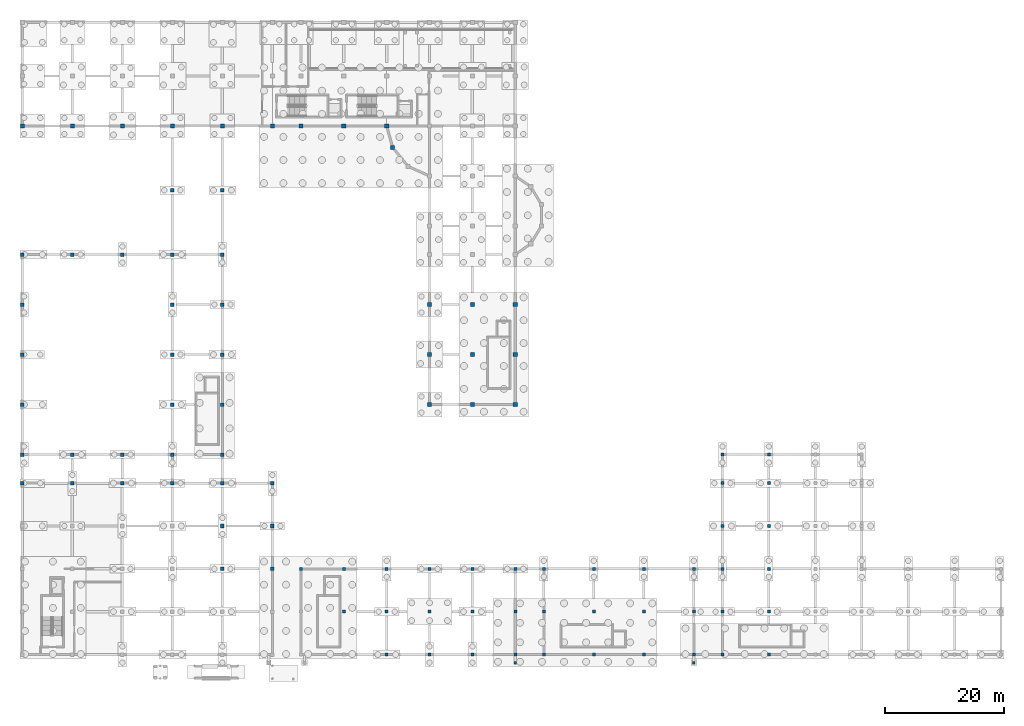
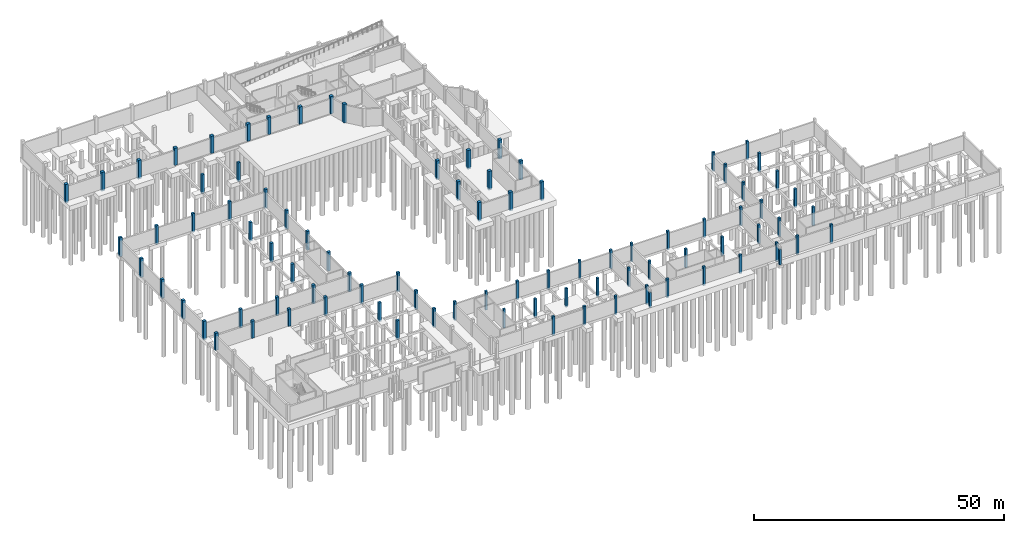
# One storey, part 11 of 22: 91 columns.
"""IFC4 building model written with IfcOpenShell, lengths in metres."""

from ifc_helpers import new_model, si_unit, direction, frame, origin, origin_2d, place, context, subcontext, project, spatial, rectangle, extrude, material, material_profile, profile_set, type_object, element, save


model = new_model("IFC4")

# Units and contexts
model_context = context("Model", 3, precision=1e-05, world=origin(), true_north=direction((0.0, 1.0)))
body_context = subcontext(model_context, "Body", "Model", "MODEL_VIEW")
ifc_project = project(units=[si_unit("LENGTHUNIT", "METRE"), si_unit("AREAUNIT", "SQUARE_METRE"), si_unit("VOLUMEUNIT", "CUBIC_METRE"), si_unit("PLANEANGLEUNIT", "RADIAN"), si_unit("MASSUNIT", "GRAM", prefix="KILO")], contexts=[model_context])

# Site, building, storey
site_placement = place(None, origin())
site = spatial("IfcSite", under=ifc_project, at=site_placement, CompositionType="ELEMENT")
building_placement = place(site_placement, origin())
building = spatial("IfcBuilding", under=site, at=building_placement, Name="Kahlenmark Community Centre", CompositionType="ELEMENT")
storey_placement = place(building_placement, frame((0.0, 0.0, -4.199951171875)))
storey = spatial("IfcBuildingStorey", under=building, at=storey_placement, Name="B1", CompositionType="ELEMENT", Elevation=-4.199951171875)

# Columns
ifc_material = material(Name="Concrete C35/45", Category="concrete")
ifc_material_profile_1 = material_profile(ifc_material, rectangle(XDim=0.449951171875, YDim=0.449951171875, at=origin_2d()), Name="RC 450x450")
ifc_profile_set_1 = profile_set([ifc_material_profile_1], Name="Concrete C35/45")
column_type_1 = type_object("IfcColumnType", Name="CT-PIER-RMP-RC450", PredefinedType="COLUMN", material=ifc_profile_set_1)
for number, where, z_axis, x_axis, name in (
    (1, (86.800048828125, 7.449951171875, -0.400146484375), (0.0, 0.0, 1.0), (1.0, 0.0, 0.0), "Threshold ramp support pier 03"),
    (2, (116.800048828125, 7.449951171875, -0.400146484375), (0.0, 0.0, 1.0), (1.0, 0.0, 0.0), "Threshold ramp support pier 04"),
):
    element("IfcColumn", number, at=place(storey_placement, frame(where, z_axis=z_axis, x_axis=x_axis)), inside=storey, type_object=column_type_1, Name=name, PredefinedType="COLUMN", context=body_context, shape_type="SweptSolid", body=[
        extrude(rectangle(XDim=0.449951171875, YDim=0.449951171875, at=origin_2d()), origin(), (0.0, 0.0, 1.0), 3.75),
    ])
ifc_material_profile_2 = material_profile(ifc_material, rectangle(XDim=0.5, YDim=0.5, at=origin_2d()), Name="RC 500x500")
ifc_profile_set_2 = profile_set([ifc_material_profile_2], Name="Concrete C35/45")
column_type_2 = type_object("IfcColumnType", Name="CT-RC500", PredefinedType="COLUMN", material=ifc_profile_set_2)
for number, where, z_axis, x_axis, name in (
    (3, (50.800048828125, 23.199951171875, -0.400146484375), (0.0, 0.0, 1.0), (1.0, 0.0, 0.0), "B1 column (50.8, 23.2)"),
    (4, (58.0, 16.0, -0.400146484375), (0.0, 0.0, 1.0), (1.0, 0.0, 0.0), "B1 column (58.0, 16.0)"),
    (5, (58.0, 23.199951171875, -0.400146484375), (0.0, 0.0, 1.0), (1.0, 0.0, 0.0), "B1 column (58.0, 23.2)"),
    (6, (65.199951171875, 8.800048828125, -0.400146484375), (0.0, 0.0, 1.0), (1.0, 0.0, 0.0), "B1 column (65.2, 8.8)"),
    (7, (65.199951171875, 16.0, -0.400146484375), (0.0, 0.0, 1.0), (1.0, 0.0, 0.0), "B1 column (65.2, 16.0)"),
    (8, (65.199951171875, 23.199951171875, -0.400146484375), (0.0, 0.0, 1.0), (1.0, 0.0, 0.0), "B1 column (65.2, 23.2)"),
    (9, (72.39990234375, 8.800048828125, -0.400146484375), (0.0, 0.0, 1.0), (1.0, 0.0, 0.0), "B1 column (72.4, 8.8)"),
    (10, (72.39990234375, 16.0, -0.400146484375), (0.0, 0.0, 1.0), (1.0, 0.0, 0.0), "B1 column (72.4, 16.0)"),
    (11, (72.39990234375, 23.199951171875, -0.400146484375), (0.0, 0.0, 1.0), (1.0, 0.0, 0.0), "B1 column (72.4, 23.2)"),
    (12, (79.60009765625, 8.800048828125, -0.400146484375), (0.0, 0.0, 1.0), (1.0, 0.0, 0.0), "B1 column (79.6, 8.8)"),
    (13, (79.60009765625, 16.0, -0.400146484375), (0.0, 0.0, 1.0), (1.0, 0.0, 0.0), "B1 column (79.6, 16.0)"),
    (14, (79.60009765625, 23.199951171875, -0.400146484375), (0.0, 0.0, 1.0), (1.0, 0.0, 0.0), "B1 column (79.6, 23.2)"),
    (15, (86.800048828125, 8.800048828125, -0.400146484375), (0.0, 0.0, 1.0), (1.0, 0.0, 0.0), "B1 column (86.8, 8.8)"),
    (16, (86.800048828125, 16.0, -0.400146484375), (0.0, 0.0, 1.0), (1.0, 0.0, 0.0), "B1 column (86.8, 16.0)"),
    (17, (86.800048828125, 23.199951171875, -0.400146484375), (0.0, 0.0, 1.0), (1.0, 0.0, 0.0), "B1 column (86.8, 23.2)"),
    (18, (91.60009765625, 8.800048828125, -0.400146484375), (0.0, 0.0, 1.0), (1.0, 0.0, 0.0), "B1 column (91.6, 8.8)"),
    (19, (91.60009765625, 16.0, -0.400146484375), (0.0, 0.0, 1.0), (1.0, 0.0, 0.0), "B1 column (91.6, 16.0)"),
    (20, (91.60009765625, 23.199951171875, -0.400146484375), (0.0, 0.0, 1.0), (1.0, 0.0, 0.0), "B1 column (91.6, 23.2)"),
    (21, (100.0, 8.800048828125, -0.400146484375), (0.0, 0.0, 1.0), (1.0, 0.0, 0.0), "B1 column (100.0, 8.8)"),
    (22, (100.0, 16.0, -0.400146484375), (0.0, 0.0, 1.0), (1.0, 0.0, 0.0), "B1 column (100.0, 16.0)"),
    (23, (100.0, 23.199951171875, -0.400146484375), (0.0, 0.0, 1.0), (1.0, 0.0, 0.0), "B1 column (100.0, 23.2)"),
    (24, (108.39990234375, 8.800048828125, -0.400146484375), (0.0, 0.0, 1.0), (1.0, 0.0, 0.0), "B1 column (108.4, 8.8)"),
    (25, (108.39990234375, 16.0, -0.400146484375), (0.0, 0.0, 1.0), (1.0, 0.0, 0.0), "B1 column (108.4, 16.0)"),
    (26, (108.39990234375, 23.199951171875, -0.400146484375), (0.0, 0.0, 1.0), (1.0, 0.0, 0.0), "B1 column (108.4, 23.2)"),
    (27, (116.800048828125, 8.800048828125, -0.400146484375), (0.0, 0.0, 1.0), (1.0, 0.0, 0.0), "B1 column (116.8, 8.8)"),
    (28, (116.800048828125, 16.0, -0.400146484375), (0.0, 0.0, 1.0), (1.0, 0.0, 0.0), "B1 column (116.8, 16.0)"),
    (29, (116.800048828125, 23.199951171875, -0.400146484375), (0.0, 0.0, 1.0), (1.0, 0.0, 0.0), "B1 column (116.8, 23.2)"),
    (30, (121.60009765625, 8.800048828125, -0.400146484375), (0.0, 0.0, 1.0), (1.0, 0.0, 0.0), "B1 column (121.6, 8.8)"),
    (31, (121.60009765625, 16.0, -0.400146484375), (0.0, 0.0, 1.0), (1.0, 0.0, 0.0), "B1 column (121.6, 16.0)"),
    (32, (121.60009765625, 23.199951171875, -0.400146484375), (0.0, 0.0, 1.0), (1.0, 0.0, 0.0), "B1 column (121.6, 23.2)"),
    (33, (121.60009765625, 30.39990234375, -0.400146484375), (0.0, 0.0, 1.0), (1.0, 0.0, 0.0), "B1 column (121.6, 30.4)"),
    (34, (121.60009765625, 37.60009765625, -0.400146484375), (0.0, 0.0, 1.0), (1.0, 0.0, 0.0), "B1 column (121.6, 37.6)"),
    (35, (121.60009765625, 42.39990234375, -0.400146484375), (0.0, 0.0, 1.0), (1.0, 0.0, 0.0), "B1 column (121.6, 42.4)"),
    (36, (129.39990234375, 8.800048828125, -0.400146484375), (0.0, 0.0, 1.0), (1.0, 0.0, 0.0), "B1 column (129.4, 8.8)"),
    (37, (129.39990234375, 16.0, -0.400146484375), (0.0, 0.0, 1.0), (1.0, 0.0, 0.0), "B1 column (129.4, 16.0)"),
    (38, (129.39990234375, 23.199951171875, -0.400146484375), (0.0, 0.0, 1.0), (1.0, 0.0, 0.0), "B1 column (129.4, 23.2)"),
    (39, (129.39990234375, 30.39990234375, -0.400146484375), (0.0, 0.0, 1.0), (1.0, 0.0, 0.0), "B1 column (129.4, 30.4)"),
    (40, (129.39990234375, 37.60009765625, -0.400146484375), (0.0, 0.0, 1.0), (1.0, 0.0, 0.0), "B1 column (129.4, 37.6)"),
    (41, (129.39990234375, 42.39990234375, -0.400146484375), (0.0, 0.0, 1.0), (1.0, 0.0, 0.0), "B1 column (129.4, 42.4)"),
):
    element("IfcColumn", number, at=place(storey_placement, frame(where, z_axis=z_axis, x_axis=x_axis)), inside=storey, type_object=column_type_2, Name=name, PredefinedType="COLUMN", context=body_context, shape_type="SweptSolid", body=[
        extrude(rectangle(XDim=0.5, YDim=0.5, at=origin_2d()), origin(), (0.0, 0.0, 1.0), 4.60009765625),
    ])
ifc_material_profile_3 = material_profile(ifc_material, rectangle(XDim=0.60009765625, YDim=0.60009765625, at=origin_2d()), Name="RC 600x600")
ifc_profile_set_3 = profile_set([ifc_material_profile_3], Name="Concrete C35/45")
column_type_3 = type_object("IfcColumnType", Name="CT-RC600", PredefinedType="COLUMN", material=ifc_profile_set_3)
column_1_placement = place(storey_placement, frame((4.0, 37.60009765625, 0.0), z_axis=(0.0, 0.0, 1.0), x_axis=(1.0, 0.0, 0.0)))
element("IfcColumn", 42, at=column_1_placement, inside=storey, type_object=column_type_3, Name="B1 column (4.0, 37.6)", PredefinedType="COLUMN", context=body_context, shape_type="SweptSolid", body=[
    extrude(rectangle(XDim=0.60009765625, YDim=0.60009765625, at=origin_2d()), origin(), (0.0, 0.0, 1.0), 4.199951171875),
])
for number, where, z_axis, x_axis, name in (
    (43, (4.0, 42.39990234375, -0.400146484375), (0.0, 0.0, 1.0), (1.0, 0.0, 0.0), "B1 column (4.0, 42.4)"),
    (44, (4.0, 50.800048828125, -0.400146484375), (0.0, 0.0, 1.0), (1.0, 0.0, 0.0), "B1 column (4.0, 50.8)"),
    (45, (4.0, 59.199951171875, -0.400146484375), (0.0, 0.0, 1.0), (1.0, 0.0, 0.0), "B1 column (4.0, 59.2)"),
    (46, (4.0, 67.60009765625, -0.400146484375), (0.0, 0.0, 1.0), (1.0, 0.0, 0.0), "B1 column (4.0, 67.6)"),
    (47, (4.0, 76.0, -0.400146484375), (0.0, 0.0, 1.0), (1.0, 0.0, 0.0), "B1 column (4.0, 76.0)"),
):
    element("IfcColumn", number, at=place(storey_placement, frame(where, z_axis=z_axis, x_axis=x_axis)), inside=storey, type_object=column_type_3, Name=name, PredefinedType="COLUMN", context=body_context, shape_type="SweptSolid", body=[
        extrude(rectangle(XDim=0.60009765625, YDim=0.60009765625, at=origin_2d()), origin(), (0.0, 0.0, 1.0), 4.60009765625),
    ])
column_2_placement = place(storey_placement, frame((12.39990234375, 37.60009765625, 0.0), z_axis=(0.0, 0.0, 1.0), x_axis=(1.0, 0.0, 0.0)))
element("IfcColumn", 48, at=column_2_placement, inside=storey, type_object=column_type_3, Name="B1 column (12.4, 37.6)", PredefinedType="COLUMN", context=body_context, shape_type="SweptSolid", body=[
    extrude(rectangle(XDim=0.60009765625, YDim=0.60009765625, at=origin_2d()), origin(), (0.0, 0.0, 1.0), 4.199951171875),
])
for number, where, z_axis, x_axis, name in (
    (49, (12.39990234375, 42.39990234375, -0.400146484375), (0.0, 0.0, 1.0), (1.0, 0.0, 0.0), "B1 column (12.4, 42.4)"),
    (50, (12.39990234375, 76.0, -0.400146484375), (0.0, 0.0, 1.0), (1.0, 0.0, 0.0), "B1 column (12.4, 76.0)"),
):
    element("IfcColumn", number, at=place(storey_placement, frame(where, z_axis=z_axis, x_axis=x_axis)), inside=storey, type_object=column_type_3, Name=name, PredefinedType="COLUMN", context=body_context, shape_type="SweptSolid", body=[
        extrude(rectangle(XDim=0.60009765625, YDim=0.60009765625, at=origin_2d()), origin(), (0.0, 0.0, 1.0), 4.60009765625),
    ])
column_3_placement = place(storey_placement, frame((20.800048828125, 37.60009765625, 0.0), z_axis=(0.0, 0.0, 1.0), x_axis=(1.0, 0.0, 0.0)))
element("IfcColumn", 51, at=column_3_placement, inside=storey, type_object=column_type_3, Name="B1 column (20.8, 37.6)", PredefinedType="COLUMN", context=body_context, shape_type="SweptSolid", body=[
    extrude(rectangle(XDim=0.60009765625, YDim=0.60009765625, at=origin_2d()), origin(), (0.0, 0.0, 1.0), 4.199951171875),
])
for number, where, z_axis, x_axis, name in (
    (52, (20.800048828125, 42.39990234375, -0.400146484375), (0.0, 0.0, 1.0), (1.0, 0.0, 0.0), "B1 column (20.8, 42.4)"),
    (53, (20.800048828125, 76.0, -0.400146484375), (0.0, 0.0, 1.0), (1.0, 0.0, 0.0), "B1 column (20.8, 76.0)"),
    (54, (29.199951171875, 37.60009765625, -0.400146484375), (0.0, 0.0, 1.0), (1.0, 0.0, 0.0), "B1 column (29.2, 37.6)"),
    (55, (29.199951171875, 42.39990234375, -0.400146484375), (0.0, 0.0, 1.0), (1.0, 0.0, 0.0), "B1 column (29.2, 42.4)"),
    (56, (29.199951171875, 50.800048828125, -0.400146484375), (0.0, 0.0, 1.0), (1.0, 0.0, 0.0), "B1 column (29.2, 50.8)"),
    (57, (29.199951171875, 59.199951171875, -0.400146484375), (0.0, 0.0, 1.0), (1.0, 0.0, 0.0), "B1 column (29.2, 59.2)"),
    (58, (29.199951171875, 67.60009765625, -0.400146484375), (0.0, 0.0, 1.0), (1.0, 0.0, 0.0), "B1 column (29.2, 67.6)"),
    (59, (29.199951171875, 76.0, -0.400146484375), (0.0, 0.0, 1.0), (1.0, 0.0, 0.0), "B1 column (29.2, 76.0)"),
    (60, (29.199951171875, 86.800048828125, -0.400146484375), (0.0, 0.0, 1.0), (1.0, 0.0, 0.0), "B1 column (29.2, 86.8)"),
    (61, (37.60009765625, 23.199951171875, -0.400146484375), (0.0, 0.0, 1.0), (1.0, 0.0, 0.0), "B1 column (37.6, 23.2)"),
    (62, (37.60009765625, 30.39990234375, -0.400146484375), (0.0, 0.0, 1.0), (1.0, 0.0, 0.0), "B1 column (37.6, 30.4)"),
    (63, (37.60009765625, 37.60009765625, -0.400146484375), (0.0, 0.0, 1.0), (1.0, 0.0, 0.0), "B1 column (37.6, 37.6)"),
    (64, (37.60009765625, 42.39990234375, -0.400146484375), (0.0, 0.0, 1.0), (1.0, 0.0, 0.0), "B1 column (37.6, 42.4)"),
    (65, (37.60009765625, 50.800048828125, -0.400146484375), (0.0, 0.0, 1.0), (1.0, 0.0, 0.0), "B1 column (37.6, 50.8)"),
    (66, (37.60009765625, 59.199951171875, -0.400146484375), (0.0, 0.0, 1.0), (1.0, 0.0, 0.0), "B1 column (37.6, 59.2)"),
    (67, (37.60009765625, 67.60009765625, -0.400146484375), (0.0, 0.0, 1.0), (1.0, 0.0, 0.0), "B1 column (37.6, 67.6)"),
    (68, (37.60009765625, 76.0, -0.400146484375), (0.0, 0.0, 1.0), (1.0, 0.0, 0.0), "B1 column (37.6, 76.0)"),
    (69, (37.60009765625, 86.800048828125, -0.400146484375), (0.0, 0.0, 1.0), (1.0, 0.0, 0.0), "B1 column (37.6, 86.8)"),
    (70, (46.0, 23.199951171875, -0.400146484375), (0.0, 0.0, 1.0), (1.0, 0.0, 0.0), "B1 column (46.0, 23.2)"),
    (71, (46.0, 30.39990234375, -0.400146484375), (0.0, 0.0, 1.0), (1.0, 0.0, 0.0), "B1 column (46.0, 30.4)"),
    (72, (46.0, 37.60009765625, -0.400146484375), (0.0, 0.0, 1.0), (1.0, 0.0, 0.0), "B1 column (46.0, 37.6)"),
):
    element("IfcColumn", number, at=place(storey_placement, frame(where, z_axis=z_axis, x_axis=x_axis)), inside=storey, type_object=column_type_3, Name=name, PredefinedType="COLUMN", context=body_context, shape_type="SweptSolid", body=[
        extrude(rectangle(XDim=0.60009765625, YDim=0.60009765625, at=origin_2d()), origin(), (0.0, 0.0, 1.0), 4.60009765625),
    ])
ifc_material_profile_4 = material_profile(ifc_material, rectangle(XDim=0.699951171875, YDim=0.699951171875, at=origin_2d()), Name="RC 700x700")
ifc_profile_set_4 = profile_set([ifc_material_profile_4], Name="Concrete C35/45")
column_type_4 = type_object("IfcColumnType", Name="CT-RC700", PredefinedType="COLUMN", material=ifc_profile_set_4)
for number, where, z_axis, x_axis, name in (
    (73, (4.0, 97.60009765625, -0.400146484375), (0.0, 0.0, 1.0), (1.0, 0.0, 0.0), "B1 column (4.0, 97.6)"),
    (74, (12.39990234375, 97.60009765625, -0.400146484375), (0.0, 0.0, 1.0), (1.0, 0.0, 0.0), "B1 column (12.4, 97.6)"),
    (75, (20.800048828125, 97.60009765625, -0.400146484375), (0.0, 0.0, 1.0), (1.0, 0.0, 0.0), "B1 column (20.8, 97.6)"),
):
    element("IfcColumn", number, at=place(storey_placement, frame(where, z_axis=z_axis, x_axis=x_axis)), inside=storey, type_object=column_type_4, Name=name, PredefinedType="COLUMN", context=body_context, shape_type="SweptSolid", body=[
        extrude(rectangle(XDim=0.699951171875, YDim=0.699951171875, at=origin_2d()), origin(), (0.0, 0.0, 1.0), 4.60009765625),
    ])
for number, where, z_axis, x_axis, name in (
    (76, (29.199951171875, 97.60009765625, 0.0), (0.0, 0.0, 1.0), (1.0, 0.0, 0.0), "B1 column (29.2, 97.6)"),
    (77, (37.60009765625, 97.60009765625, 0.0), (0.0, 0.0, 1.0), (1.0, 0.0, 0.0), "B1 column (37.6, 97.6)"),
    (78, (46.0, 97.60009765625, 0.0), (0.0, 0.0, 1.0), (1.0, 0.0, 0.0), "B1 column (46.0, 97.6)"),
    (79, (50.800048828125, 97.60009765625, 0.0), (0.0, 0.0, 1.0), (1.0, 0.0, 0.0), "B1 column (50.8, 97.6)"),
    (80, (58.0, 97.60009765625, 0.0), (0.0, 0.0, 1.0), (1.0, 0.0, 0.0), "B1 column (58.0, 97.6)"),
    (81, (65.199951171875, 97.60009765625, 0.0), (0.0, 0.0, 1.0), (1.0, 0.0, 0.0), "B1 column (65.2, 97.6)"),
):
    element("IfcColumn", number, at=place(storey_placement, frame(where, z_axis=z_axis, x_axis=x_axis)), inside=storey, type_object=column_type_4, Name=name, PredefinedType="COLUMN", context=body_context, shape_type="SweptSolid", body=[
        extrude(rectangle(XDim=0.699951171875, YDim=0.699951171875, at=origin_2d()), origin(), (0.0, 0.0, 1.0), 4.199951171875),
    ])
for number, where, z_axis, x_axis, name in (
    (82, (66.199951171875, 94.0, -0.400146484375), (0.0, 0.0, 1.0), (1.0, 0.0, 0.0), "B1 column (66.2, 94.0)"),
    (83, (72.39990234375, 50.800048828125, -0.400146484375), (0.0, 0.0, 1.0), (1.0, 0.0, 0.0), "B1 column (72.4, 50.8)"),
    (84, (72.39990234375, 59.199951171875, -0.400146484375), (0.0, 0.0, 1.0), (1.0, 0.0, 0.0), "B1 column (72.4, 59.2)"),
    (85, (72.39990234375, 67.60009765625, -0.400146484375), (0.0, 0.0, 1.0), (1.0, 0.0, 0.0), "B1 column (72.4, 67.6)"),
    (86, (79.60009765625, 50.800048828125, -0.400146484375), (0.0, 0.0, 1.0), (1.0, 0.0, 0.0), "B1 column (79.6, 50.8)"),
    (87, (79.60009765625, 59.199951171875, -0.400146484375), (0.0, 0.0, 1.0), (1.0, 0.0, 0.0), "B1 column (79.6, 59.2)"),
    (88, (79.60009765625, 67.60009765625, -0.400146484375), (0.0, 0.0, 1.0), (1.0, 0.0, 0.0), "B1 column (79.6, 67.6)"),
    (89, (86.800048828125, 50.800048828125, -0.400146484375), (0.0, 0.0, 1.0), (1.0, 0.0, 0.0), "B1 column (86.8, 50.8)"),
    (90, (86.800048828125, 59.199951171875, -0.400146484375), (0.0, 0.0, 1.0), (1.0, 0.0, 0.0), "B1 column (86.8, 59.2)"),
    (91, (86.800048828125, 67.60009765625, -0.400146484375), (0.0, 0.0, 1.0), (1.0, 0.0, 0.0), "B1 column (86.8, 67.6)"),
):
    element("IfcColumn", number, at=place(storey_placement, frame(where, z_axis=z_axis, x_axis=x_axis)), inside=storey, type_object=column_type_4, Name=name, PredefinedType="COLUMN", context=body_context, shape_type="SweptSolid", body=[
        extrude(rectangle(XDim=0.699951171875, YDim=0.699951171875, at=origin_2d()), origin(), (0.0, 0.0, 1.0), 4.60009765625),
    ])

save(model, "model.ifc")
